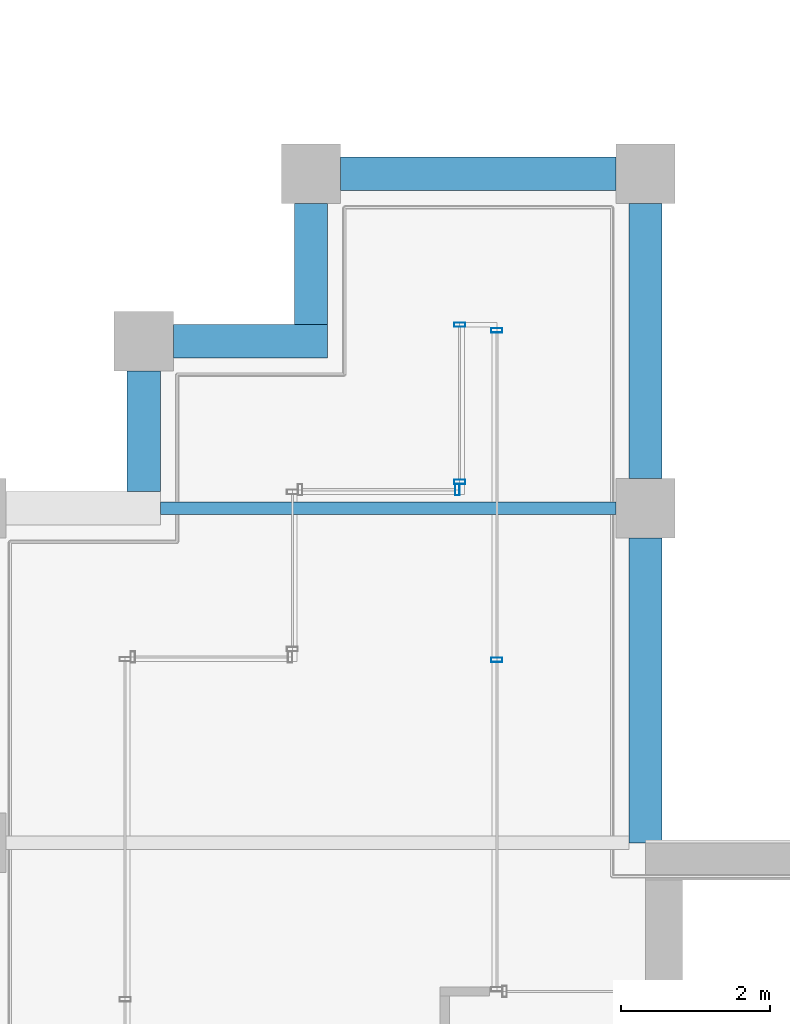
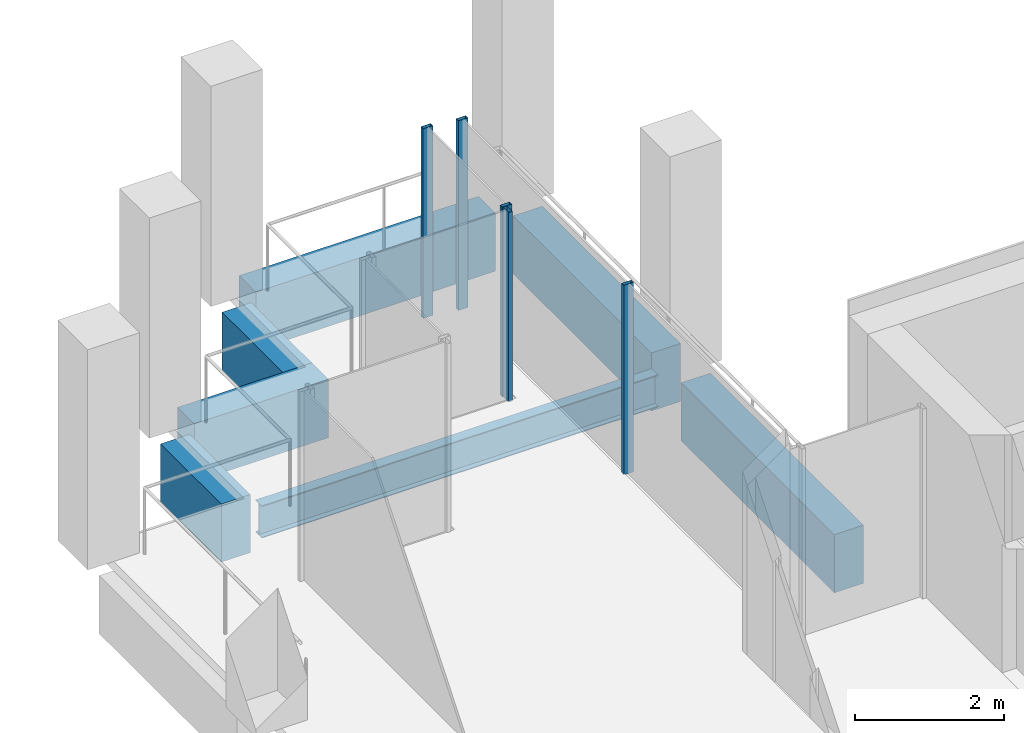
# One storey, part 33 of 40: 7 beams, 5 members, 3 elements without a shape of their own.
"""IFC4 building model written with IfcOpenShell, lengths in metres."""

from ifc_helpers import new_model, si_unit, direction, frame, origin, origin_2d, place, context, subcontext, project, spatial, rectangle, hollow_rectangle, i_section, extrude, material, material_profile, profile_set, type_object, element, aggregate, save


model = new_model("IFC4")

# Units and contexts
model_context = context("Model", 3, precision=1e-05, world=origin(), true_north=direction((0.0, 1.0)))
body_context = subcontext(model_context, "Body", "Model", "MODEL_VIEW")
ifc_project = project(units=[si_unit("LENGTHUNIT", "METRE"), si_unit("AREAUNIT", "SQUARE_METRE"), si_unit("VOLUMEUNIT", "CUBIC_METRE"), si_unit("PLANEANGLEUNIT", "RADIAN"), si_unit("MASSUNIT", "GRAM", prefix="KILO")], contexts=[model_context])

# Site, building, storey
site_placement = place(None, origin())
site = spatial("IfcSite", under=ifc_project, at=site_placement, CompositionType="ELEMENT")
building_placement = place(site_placement, origin())
building = spatial("IfcBuilding", under=site, at=building_placement, Name="Altepetl Exchange Towers", CompositionType="ELEMENT")
storey_placement = place(building_placement, frame((0.0, 0.0, 202.800048828125)))
storey = spatial("IfcBuildingStorey", under=building, at=storey_placement, Name="L51", CompositionType="ELEMENT", Elevation=202.800048828125)

# Beam
ifc_material_1 = material(Name="Steel S355", Category="steel")
ifc_material_profile_1 = material_profile(ifc_material_1, i_section(OverallWidth=0.166015625, OverallDepth=0.529052734375, WebThickness=0.009765625, FlangeThickness=0.013671875, at=origin_2d()), Name="W21X50")
ifc_profile_set_1 = profile_set([ifc_material_profile_1], Name="Steel S355")
beam_type_1 = type_object("IfcBeamType", Name="Floor beam W21X50", PredefinedType="BEAM", material=ifc_profile_set_1)
beam_1_placement = place(storey_placement, frame((96.97509765625, 54.0, -0.41455078125), z_axis=(1.0, 0.0, 0.0), x_axis=(0.0, 1.0, 0.0)))
element("IfcBeam", 1, at=beam_1_placement, inside=storey, type_object=beam_type_1, Name="bm:B:L51:007", PredefinedType="BEAM", context=body_context, shape_type="SweptSolid", body=[
    extrude(i_section(OverallWidth=0.166015625, OverallDepth=0.529052734375, WebThickness=0.009765625, FlangeThickness=0.013671875, at=origin_2d()), origin(), (0.0, 0.0, 1.0), 6.125),
])

# Curtain wall, members
ifc_material_2 = material(Name="Aluminium 6063-T6 glazing", Category="aluminium")
curtain_wall_type = type_object("IfcCurtainWallType", Name="Loggia glazing system", PredefinedType="NOTDEFINED", material=ifc_material_2)
curtain_wall_1_placement = place(storey_placement, origin())
curtain_wall_1 = element("IfcCurtainWall", 2, at=curtain_wall_1_placement, inside=storey, type_object=curtain_wall_type, Name="CW1 run", PredefinedType="NOTDEFINED")
ifc_material_3 = material(Name="Aluminium 6063-T6", Category="aluminium")
ifc_material_profile_2 = material_profile(ifc_material_3, hollow_rectangle(XDim=0.06005859375, YDim=0.14990234375, WallThickness=0.0029296875, at=origin_2d()), Name="Mullion 60x150 aluminium")
ifc_profile_set_2 = profile_set([ifc_material_profile_2], Name="Aluminium 6063-T6")
member_type = type_object("IfcMemberType", Name="Mullion 60x150 aluminium", PredefinedType="MULLION", material=ifc_profile_set_2)
member_1_placement = place(storey_placement, frame((101.5, 51.96240234375, 0.0), z_axis=(0.0, 0.0, 1.0), x_axis=(0.0, 1.0, 0.0)))
member_1 = element("IfcMember", 3, at=member_1_placement, type_object=member_type, Name="MU1 mullion", PredefinedType="MULLION", context=body_context, shape_type="SweptSolid", body=[
    extrude(hollow_rectangle(XDim=0.06005859375, YDim=0.14990234375, WallThickness=0.0029296875, at=origin_2d()), origin(), (0.0, 0.0, 1.0), 3.099853515625),
])
member_2_placement = place(storey_placement, frame((101.5, 56.39501953125, 0.0), z_axis=(0.0, 0.0, 1.0), x_axis=(0.0, 1.0, 0.0)))
member_2 = element("IfcMember", 4, at=member_2_placement, type_object=member_type, Name="MU1 mullion", PredefinedType="MULLION", context=body_context, shape_type="SweptSolid", body=[
    extrude(hollow_rectangle(XDim=0.06005859375, YDim=0.14990234375, WallThickness=0.0029296875, at=origin_2d()), origin(), (0.0, 0.0, 1.0), 3.099853515625),
])
aggregate(curtain_wall_1, [member_1, member_2])

curtain_wall_2_placement = place(storey_placement, origin())
curtain_wall_2 = element("IfcCurtainWall", 5, at=curtain_wall_2_placement, inside=storey, type_object=curtain_wall_type, Name="CW1 run", PredefinedType="NOTDEFINED")
member_3_placement = place(storey_placement, frame((101.0, 56.469970703125, 0.0), z_axis=(0.0, 0.0, 1.0), x_axis=(0.0, -1.0, 0.0)))
member_3 = element("IfcMember", 6, at=member_3_placement, type_object=member_type, Name="MU1 mullion", PredefinedType="MULLION", context=body_context, shape_type="SweptSolid", body=[
    extrude(hollow_rectangle(XDim=0.06005859375, YDim=0.14990234375, WallThickness=0.0029296875, at=origin_2d()), origin(), (0.0, 0.0, 1.0), 3.099853515625),
])
member_4_placement = place(storey_placement, frame((101.0, 54.35498046875, 0.0), z_axis=(0.0, 0.0, 1.0), x_axis=(0.0, -1.0, 0.0)))
member_4 = element("IfcMember", 7, at=member_4_placement, type_object=member_type, Name="MU1 mullion", PredefinedType="MULLION", context=body_context, shape_type="SweptSolid", body=[
    extrude(hollow_rectangle(XDim=0.06005859375, YDim=0.14990234375, WallThickness=0.0029296875, at=origin_2d()), origin(), (0.0, 0.0, 1.0), 3.099853515625),
])
aggregate(curtain_wall_2, [member_3, member_4])

# Curtain wall, member
curtain_wall_3_placement = place(storey_placement, origin())
curtain_wall_3 = element("IfcCurtainWall", 8, at=curtain_wall_3_placement, inside=storey, type_object=curtain_wall_type, Name="CW1 run", PredefinedType="NOTDEFINED")
member_5_placement = place(storey_placement, frame((100.969970703125, 54.25, 0.0), z_axis=(0.0, 0.0, 1.0), x_axis=(-1.0, 0.0, 0.0)))
member_5 = element("IfcMember", 9, at=member_5_placement, type_object=member_type, Name="MU1 mullion", PredefinedType="MULLION", context=body_context, shape_type="SweptSolid", body=[
    extrude(hollow_rectangle(XDim=0.06005859375, YDim=0.14990234375, WallThickness=0.0029296875, at=origin_2d()), origin(), (0.0, 0.0, 1.0), 3.099853515625),
])
aggregate(curtain_wall_3, [member_5])

# Beams
ifc_material_4 = material(Name="Concrete C50/60 precast with cantera rosa facing", Category="concrete")
ifc_material_profile_3 = material_profile(ifc_material_4, rectangle(XDim=0.449951171875, YDim=0.949951171875, at=origin_2d()), Name="450 x 950")
ifc_profile_set_3 = profile_set([ifc_material_profile_3], Name="Concrete C50/60 precast with cantera rosa facing")
beam_type_2 = type_object("IfcBeamType", Name="Spandrel beam 450x950 cantera rosa", PredefinedType="SPANDREL", material=ifc_profile_set_3)
beam_2_placement = place(storey_placement, frame((103.5, 49.5, -0.625), z_axis=(0.0, 1.0, 0.0), x_axis=(-1.0, 0.0, 0.0)))
element("IfcBeam", 10, at=beam_2_placement, inside=storey, type_object=beam_type_2, Name="sp:B:L51:008", PredefinedType="SPANDREL", context=body_context, shape_type="SweptSolid", body=[
    extrude(rectangle(XDim=0.449951171875, YDim=0.949951171875, at=origin_2d()), origin(), (0.0, 0.0, 1.0), 4.10009765625),
])
for number, where, z_axis, x_axis, name in (
    (11, (103.5, 54.39990234375, -0.625), (0.0, 1.0, 0.0), (-1.0, 0.0, 0.0), "sp:B:L51:009"),
    (12, (103.10009765625, 58.5, -0.625), (-1.0, 0.0, 0.0), (0.0, -1.0, 0.0), "sp:B:L51:010"),
):
    element("IfcBeam", number, at=place(storey_placement, frame(where, z_axis=z_axis, x_axis=x_axis)), inside=storey, type_object=beam_type_2, Name=name, PredefinedType="SPANDREL", context=body_context, shape_type="SweptSolid", body=[
        extrude(rectangle(XDim=0.449951171875, YDim=0.949951171875, at=origin_2d()), origin(), (0.0, 0.0, 1.0), 3.7001953125),
    ])
beam_3_placement = place(storey_placement, frame((99.0, 58.10009765625, -0.625), z_axis=(0.0, -1.0, 0.0), x_axis=(1.0, 0.0, 0.0)))
element("IfcBeam", 13, at=beam_3_placement, inside=storey, type_object=beam_type_2, Name="sp:B:L51:011", PredefinedType="SPANDREL", context=body_context, shape_type="SweptSolid", body=[
    extrude(rectangle(XDim=0.449951171875, YDim=0.949951171875, at=origin_2d()), origin(), (0.0, 0.0, 1.0), 1.625),
])
beam_4_placement = place(storey_placement, frame((99.22509765625, 56.25, -0.625), z_axis=(-1.0, 0.0, 0.0), x_axis=(0.0, -1.0, 0.0)))
element("IfcBeam", 14, at=beam_4_placement, inside=storey, type_object=beam_type_2, Name="sp:B:L51:012", PredefinedType="SPANDREL", context=body_context, shape_type="SweptSolid", body=[
    extrude(rectangle(XDim=0.449951171875, YDim=0.949951171875, at=origin_2d()), origin(), (0.0, 0.0, 1.0), 2.0751953125),
])
beam_5_placement = place(storey_placement, frame((96.75, 55.85009765625, -0.625), z_axis=(0.0, -1.0, 0.0), x_axis=(1.0, 0.0, 0.0)))
element("IfcBeam", 15, at=beam_5_placement, inside=storey, type_object=beam_type_2, Name="sp:B:L51:013", PredefinedType="SPANDREL", context=body_context, shape_type="SweptSolid", body=[
    extrude(rectangle(XDim=0.449951171875, YDim=0.949951171875, at=origin_2d()), origin(), (0.0, 0.0, 1.0), 1.625),
])

save(model, "model.ifc")
